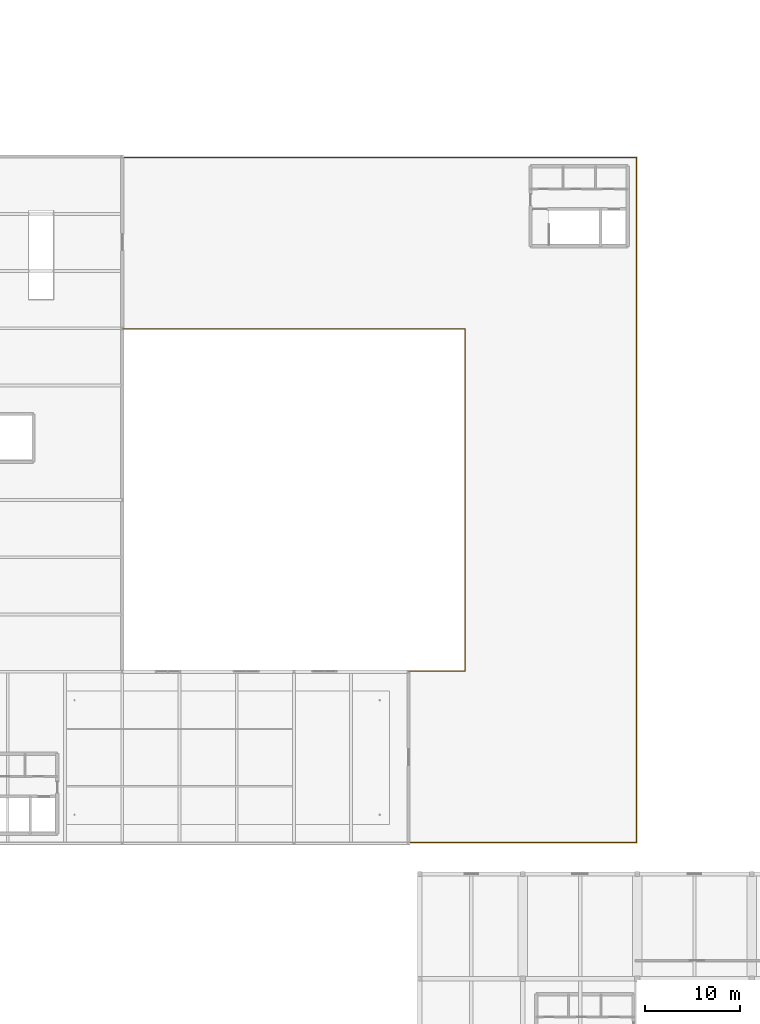
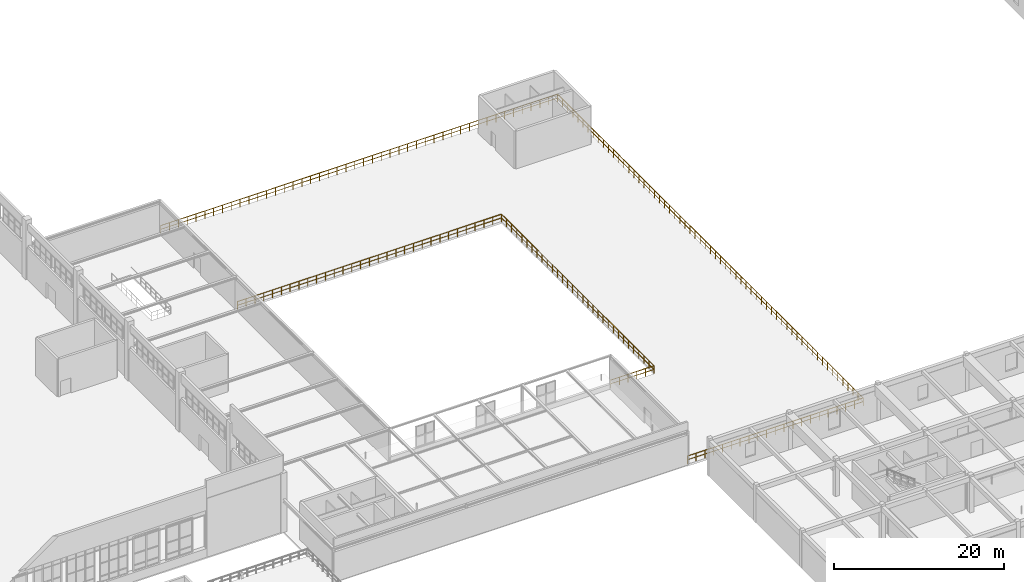
# One storey, part 94 of 97: 2 railings.
"""IFC4 building model written with IfcOpenShell, lengths in metres."""

from ifc_helpers import new_model, si_unit, derived_unit, direction, frame, origin, origin_2d, place, context, subcontext, project, spatial, circle, extrude, material, type_object, element, save


model = new_model("IFC4")

# Units and contexts
model_context = context("Model", 3, precision=1e-05, world=origin(), true_north=direction((0.0, 1.0)))
body_context = subcontext(model_context, "Body", "Model", "MODEL_VIEW")
ifc_project = project(units=[si_unit("LENGTHUNIT", "METRE"), si_unit("AREAUNIT", "SQUARE_METRE"), si_unit("VOLUMEUNIT", "CUBIC_METRE"), si_unit("PLANEANGLEUNIT", "RADIAN"), si_unit("MASSUNIT", "GRAM", prefix="KILO"), derived_unit("THERMALTRANSMITTANCEUNIT", [(si_unit("POWERUNIT", "WATT"), 1), (si_unit("LENGTHUNIT", "METRE"), -2), (si_unit("THERMODYNAMICTEMPERATUREUNIT", "KELVIN"), -1)])], contexts=[model_context])

# Site, building, storey
site_placement = place(None, origin())
site = spatial("IfcSite", under=ifc_project, at=site_placement, CompositionType="ELEMENT")
building_placement = place(site_placement, origin())
building = spatial("IfcBuilding", under=site, at=building_placement, Name="Almenara Railside Exhibition Hall", CompositionType="ELEMENT")
storey_placement = place(building_placement, frame((0.0, 0.0, 10.800048828125)))
storey = spatial("IfcBuildingStorey", under=building, at=storey_placement, Name="L02", CompositionType="ELEMENT", Elevation=10.800048828125)

# Railings
ifc_material = material(Name="Dark wrought-iron architectural balustrade")
railing_type = type_object("IfcRailingType", Name="Wrought-Iron Rejas Terrace Balustrade 1120mm", PredefinedType="BALUSTRADE", material=ifc_material)
railing_1_placement = place(storey_placement, frame((114.050048828125, 36.080078125, 0.0)))
element("IfcRailing", 1, at=railing_1_placement, inside=storey, type_object=railing_type, Name="Guard balustrade 0001", PredefinedType="BALUSTRADE", context=body_context, shape_type="SweptSolid", body=[
    extrude(circle(Radius=0.02392578125, at=origin_2d()), frame((0.0, 0.0, 1.09619140625), z_axis=(1.0, 0.0, 0.0), x_axis=(0.0, 1.0, 0.0)), (0.0, 0.0, 1.0), 23.869873046875),
    extrude(circle(Radius=0.01416015625, at=origin_2d()), frame((0.0, 0.0, 0.56005859375), z_axis=(1.0, 0.0, 0.0), x_axis=(0.0, 1.0, 0.0)), (0.0, 0.0, 1.0), 23.869873046875),
    extrude(circle(Radius=0.02392578125, at=origin_2d()), frame((23.869873046875, 0.0, 1.09619140625), z_axis=(0.0, 1.0, 0.0), x_axis=(-1.0, 0.0, 0.0)), (0.0, 0.0, 1.0), 71.83984375),
    extrude(circle(Radius=0.01416015625, at=origin_2d()), frame((23.869873046875, 0.0, 0.56005859375), z_axis=(0.0, 1.0, 0.0), x_axis=(-1.0, 0.0, 0.0)), (0.0, 0.0, 1.0), 71.83984375),
    extrude(circle(Radius=0.02392578125, at=origin_2d()), frame((23.869873046875, 71.83984375, 1.09619140625), z_axis=(-1.0, 0.0, 0.0), x_axis=(0.0, -1.0, 0.0)), (0.0, 0.0, 1.0), 53.83984375),
    extrude(circle(Radius=0.01416015625, at=origin_2d()), frame((23.869873046875, 71.83984375, 0.56005859375), z_axis=(-1.0, 0.0, 0.0), x_axis=(0.0, -1.0, 0.0)), (0.0, 0.0, 1.0), 53.83984375),
    extrude(circle(Radius=0.02099609375, at=origin_2d()), origin(), (0.0, 0.0, 1.0), 1.072021484375),
    extrude(circle(Radius=0.02099609375, at=origin_2d()), frame((1.193603515625, 0.0, 0.0)), (0.0, 0.0, 1.0), 1.072021484375),
    extrude(circle(Radius=0.02099609375, at=origin_2d()), frame((2.386962890625, 0.0, 0.0)), (0.0, 0.0, 1.0), 1.072021484375),
    extrude(circle(Radius=0.02099609375, at=origin_2d()), frame((3.58056640625, 0.0, 0.0)), (0.0, 0.0, 1.0), 1.072021484375),
    extrude(circle(Radius=0.02099609375, at=origin_2d()), frame((4.77392578125, 0.0, 0.0)), (0.0, 0.0, 1.0), 1.072021484375),
    extrude(circle(Radius=0.02099609375, at=origin_2d()), frame((5.967529296875, 0.0, 0.0)), (0.0, 0.0, 1.0), 1.072021484375),
    extrude(circle(Radius=0.02099609375, at=origin_2d()), frame((7.160888671875, 0.0, 0.0)), (0.0, 0.0, 1.0), 1.072021484375),
    extrude(circle(Radius=0.02099609375, at=origin_2d()), frame((8.3544921875, 0.0, 0.0)), (0.0, 0.0, 1.0), 1.072021484375),
    extrude(circle(Radius=0.02099609375, at=origin_2d()), frame((9.5478515625, 0.0, 0.0)), (0.0, 0.0, 1.0), 1.072021484375),
    extrude(circle(Radius=0.02099609375, at=origin_2d()), frame((10.741455078125, 0.0, 0.0)), (0.0, 0.0, 1.0), 1.072021484375),
    extrude(circle(Radius=0.02099609375, at=origin_2d()), frame((11.93505859375, 0.0, 0.0)), (0.0, 0.0, 1.0), 1.072021484375),
    extrude(circle(Radius=0.02099609375, at=origin_2d()), frame((13.12841796875, 0.0, 0.0)), (0.0, 0.0, 1.0), 1.072021484375),
    extrude(circle(Radius=0.02099609375, at=origin_2d()), frame((14.322021484375, 0.0, 0.0)), (0.0, 0.0, 1.0), 1.072021484375),
    extrude(circle(Radius=0.02099609375, at=origin_2d()), frame((15.515380859375, 0.0, 0.0)), (0.0, 0.0, 1.0), 1.072021484375),
    extrude(circle(Radius=0.02099609375, at=origin_2d()), frame((16.708984375, 0.0, 0.0)), (0.0, 0.0, 1.0), 1.072021484375),
    extrude(circle(Radius=0.02099609375, at=origin_2d()), frame((17.90234375, 0.0, 0.0)), (0.0, 0.0, 1.0), 1.072021484375),
    extrude(circle(Radius=0.02099609375, at=origin_2d()), frame((19.095947265625, 0.0, 0.0)), (0.0, 0.0, 1.0), 1.072021484375),
    extrude(circle(Radius=0.02099609375, at=origin_2d()), frame((20.289306640625, 0.0, 0.0)), (0.0, 0.0, 1.0), 1.072021484375),
    extrude(circle(Radius=0.02099609375, at=origin_2d()), frame((21.48291015625, 0.0, 0.0)), (0.0, 0.0, 1.0), 1.072021484375),
    extrude(circle(Radius=0.02099609375, at=origin_2d()), frame((22.67626953125, 0.0, 0.0)), (0.0, 0.0, 1.0), 1.072021484375),
    extrude(circle(Radius=0.02099609375, at=origin_2d()), frame((23.869873046875, 0.0, 0.0)), (0.0, 0.0, 1.0), 1.072021484375),
    extrude(circle(Radius=0.02099609375, at=origin_2d()), frame((23.869873046875, 1.197265625, 0.0)), (0.0, 0.0, 1.0), 1.072021484375),
    extrude(circle(Radius=0.02099609375, at=origin_2d()), frame((23.869873046875, 2.394775390625, 0.0)), (0.0, 0.0, 1.0), 1.072021484375),
    extrude(circle(Radius=0.02099609375, at=origin_2d()), frame((23.869873046875, 3.592041015625, 0.0)), (0.0, 0.0, 1.0), 1.072021484375),
    extrude(circle(Radius=0.02099609375, at=origin_2d()), frame((23.869873046875, 4.789306640625, 0.0)), (0.0, 0.0, 1.0), 1.072021484375),
    extrude(circle(Radius=0.02099609375, at=origin_2d()), frame((23.869873046875, 5.986572265625, 0.0)), (0.0, 0.0, 1.0), 1.072021484375),
    extrude(circle(Radius=0.02099609375, at=origin_2d()), frame((23.869873046875, 7.18408203125, 0.0)), (0.0, 0.0, 1.0), 1.072021484375),
    extrude(circle(Radius=0.02099609375, at=origin_2d()), frame((23.869873046875, 8.38134765625, 0.0)), (0.0, 0.0, 1.0), 1.072021484375),
    extrude(circle(Radius=0.02099609375, at=origin_2d()), frame((23.869873046875, 9.57861328125, 0.0)), (0.0, 0.0, 1.0), 1.072021484375),
    extrude(circle(Radius=0.02099609375, at=origin_2d()), frame((23.869873046875, 10.77587890625, 0.0)), (0.0, 0.0, 1.0), 1.072021484375),
    extrude(circle(Radius=0.02099609375, at=origin_2d()), frame((23.869873046875, 11.973388671875, 0.0)), (0.0, 0.0, 1.0), 1.072021484375),
    extrude(circle(Radius=0.02099609375, at=origin_2d()), frame((23.869873046875, 13.170654296875, 0.0)), (0.0, 0.0, 1.0), 1.072021484375),
    extrude(circle(Radius=0.02099609375, at=origin_2d()), frame((23.869873046875, 14.367919921875, 0.0)), (0.0, 0.0, 1.0), 1.072021484375),
    extrude(circle(Radius=0.02099609375, at=origin_2d()), frame((23.869873046875, 15.565185546875, 0.0)), (0.0, 0.0, 1.0), 1.072021484375),
    extrude(circle(Radius=0.02099609375, at=origin_2d()), frame((23.869873046875, 16.7626953125, 0.0)), (0.0, 0.0, 1.0), 1.072021484375),
    extrude(circle(Radius=0.02099609375, at=origin_2d()), frame((23.869873046875, 17.9599609375, 0.0)), (0.0, 0.0, 1.0), 1.072021484375),
    extrude(circle(Radius=0.02099609375, at=origin_2d()), frame((23.869873046875, 19.1572265625, 0.0)), (0.0, 0.0, 1.0), 1.072021484375),
    extrude(circle(Radius=0.02099609375, at=origin_2d()), frame((23.869873046875, 20.354736328125, 0.0)), (0.0, 0.0, 1.0), 1.072021484375),
    extrude(circle(Radius=0.02099609375, at=origin_2d()), frame((23.869873046875, 21.552001953125, 0.0)), (0.0, 0.0, 1.0), 1.072021484375),
    extrude(circle(Radius=0.02099609375, at=origin_2d()), frame((23.869873046875, 22.749267578125, 0.0)), (0.0, 0.0, 1.0), 1.072021484375),
    extrude(circle(Radius=0.02099609375, at=origin_2d()), frame((23.869873046875, 23.946533203125, 0.0)), (0.0, 0.0, 1.0), 1.072021484375),
    extrude(circle(Radius=0.02099609375, at=origin_2d()), frame((23.869873046875, 25.14404296875, 0.0)), (0.0, 0.0, 1.0), 1.072021484375),
    extrude(circle(Radius=0.02099609375, at=origin_2d()), frame((23.869873046875, 26.34130859375, 0.0)), (0.0, 0.0, 1.0), 1.072021484375),
    extrude(circle(Radius=0.02099609375, at=origin_2d()), frame((23.869873046875, 27.53857421875, 0.0)), (0.0, 0.0, 1.0), 1.072021484375),
    extrude(circle(Radius=0.02099609375, at=origin_2d()), frame((23.869873046875, 28.73583984375, 0.0)), (0.0, 0.0, 1.0), 1.072021484375),
    extrude(circle(Radius=0.02099609375, at=origin_2d()), frame((23.869873046875, 29.933349609375, 0.0)), (0.0, 0.0, 1.0), 1.072021484375),
    extrude(circle(Radius=0.02099609375, at=origin_2d()), frame((23.869873046875, 31.130615234375, 0.0)), (0.0, 0.0, 1.0), 1.072021484375),
    extrude(circle(Radius=0.02099609375, at=origin_2d()), frame((23.869873046875, 32.327880859375, 0.0)), (0.0, 0.0, 1.0), 1.072021484375),
    extrude(circle(Radius=0.02099609375, at=origin_2d()), frame((23.869873046875, 33.525146484375, 0.0)), (0.0, 0.0, 1.0), 1.072021484375),
    extrude(circle(Radius=0.02099609375, at=origin_2d()), frame((23.869873046875, 34.72265625, 0.0)), (0.0, 0.0, 1.0), 1.072021484375),
    extrude(circle(Radius=0.02099609375, at=origin_2d()), frame((23.869873046875, 35.919921875, 0.0)), (0.0, 0.0, 1.0), 1.072021484375),
    extrude(circle(Radius=0.02099609375, at=origin_2d()), frame((23.869873046875, 37.1171875, 0.0)), (0.0, 0.0, 1.0), 1.072021484375),
    extrude(circle(Radius=0.02099609375, at=origin_2d()), frame((23.869873046875, 38.314697265625, 0.0)), (0.0, 0.0, 1.0), 1.072021484375),
    extrude(circle(Radius=0.02099609375, at=origin_2d()), frame((23.869873046875, 39.511962890625, 0.0)), (0.0, 0.0, 1.0), 1.072021484375),
    extrude(circle(Radius=0.02099609375, at=origin_2d()), frame((23.869873046875, 40.709228515625, 0.0)), (0.0, 0.0, 1.0), 1.072021484375),
    extrude(circle(Radius=0.02099609375, at=origin_2d()), frame((23.869873046875, 41.906494140625, 0.0)), (0.0, 0.0, 1.0), 1.072021484375),
    extrude(circle(Radius=0.02099609375, at=origin_2d()), frame((23.869873046875, 43.10400390625, 0.0)), (0.0, 0.0, 1.0), 1.072021484375),
    extrude(circle(Radius=0.02099609375, at=origin_2d()), frame((23.869873046875, 44.30126953125, 0.0)), (0.0, 0.0, 1.0), 1.072021484375),
    extrude(circle(Radius=0.02099609375, at=origin_2d()), frame((23.869873046875, 45.49853515625, 0.0)), (0.0, 0.0, 1.0), 1.072021484375),
    extrude(circle(Radius=0.02099609375, at=origin_2d()), frame((23.869873046875, 46.69580078125, 0.0)), (0.0, 0.0, 1.0), 1.072021484375),
    extrude(circle(Radius=0.02099609375, at=origin_2d()), frame((23.869873046875, 47.893310546875, 0.0)), (0.0, 0.0, 1.0), 1.072021484375),
    extrude(circle(Radius=0.02099609375, at=origin_2d()), frame((23.869873046875, 49.090576171875, 0.0)), (0.0, 0.0, 1.0), 1.072021484375),
    extrude(circle(Radius=0.02099609375, at=origin_2d()), frame((23.869873046875, 50.287841796875, 0.0)), (0.0, 0.0, 1.0), 1.072021484375),
    extrude(circle(Radius=0.02099609375, at=origin_2d()), frame((23.869873046875, 51.485107421875, 0.0)), (0.0, 0.0, 1.0), 1.072021484375),
    extrude(circle(Radius=0.02099609375, at=origin_2d()), frame((23.869873046875, 52.6826171875, 0.0)), (0.0, 0.0, 1.0), 1.072021484375),
    extrude(circle(Radius=0.02099609375, at=origin_2d()), frame((23.869873046875, 53.8798828125, 0.0)), (0.0, 0.0, 1.0), 1.072021484375),
    extrude(circle(Radius=0.02099609375, at=origin_2d()), frame((23.869873046875, 55.0771484375, 0.0)), (0.0, 0.0, 1.0), 1.072021484375),
    extrude(circle(Radius=0.02099609375, at=origin_2d()), frame((23.869873046875, 56.274658203125, 0.0)), (0.0, 0.0, 1.0), 1.072021484375),
    extrude(circle(Radius=0.02099609375, at=origin_2d()), frame((23.869873046875, 57.471923828125, 0.0)), (0.0, 0.0, 1.0), 1.072021484375),
    extrude(circle(Radius=0.02099609375, at=origin_2d()), frame((23.869873046875, 58.669189453125, 0.0)), (0.0, 0.0, 1.0), 1.072021484375),
    extrude(circle(Radius=0.02099609375, at=origin_2d()), frame((23.869873046875, 59.866455078125, 0.0)), (0.0, 0.0, 1.0), 1.072021484375),
    extrude(circle(Radius=0.02099609375, at=origin_2d()), frame((23.869873046875, 61.06396484375, 0.0)), (0.0, 0.0, 1.0), 1.072021484375),
    extrude(circle(Radius=0.02099609375, at=origin_2d()), frame((23.869873046875, 62.26123046875, 0.0)), (0.0, 0.0, 1.0), 1.072021484375),
    extrude(circle(Radius=0.02099609375, at=origin_2d()), frame((23.869873046875, 63.45849609375, 0.0)), (0.0, 0.0, 1.0), 1.072021484375),
    extrude(circle(Radius=0.02099609375, at=origin_2d()), frame((23.869873046875, 64.65576171875, 0.0)), (0.0, 0.0, 1.0), 1.072021484375),
    extrude(circle(Radius=0.02099609375, at=origin_2d()), frame((23.869873046875, 65.853271484375, 0.0)), (0.0, 0.0, 1.0), 1.072021484375),
    extrude(circle(Radius=0.02099609375, at=origin_2d()), frame((23.869873046875, 67.050537109375, 0.0)), (0.0, 0.0, 1.0), 1.072021484375),
    extrude(circle(Radius=0.02099609375, at=origin_2d()), frame((23.869873046875, 68.247802734375, 0.0)), (0.0, 0.0, 1.0), 1.072021484375),
    extrude(circle(Radius=0.02099609375, at=origin_2d()), frame((23.869873046875, 69.445068359375, 0.0)), (0.0, 0.0, 1.0), 1.072021484375),
    extrude(circle(Radius=0.02099609375, at=origin_2d()), frame((23.869873046875, 70.642578125, 0.0)), (0.0, 0.0, 1.0), 1.072021484375),
    extrude(circle(Radius=0.02099609375, at=origin_2d()), frame((23.869873046875, 71.83984375, 0.0)), (0.0, 0.0, 1.0), 1.072021484375),
    extrude(circle(Radius=0.02099609375, at=origin_2d()), frame((22.67333984375, 71.83984375, 0.0)), (0.0, 0.0, 1.0), 1.072021484375),
    extrude(circle(Radius=0.02099609375, at=origin_2d()), frame((21.47705078125, 71.83984375, 0.0)), (0.0, 0.0, 1.0), 1.072021484375),
    extrude(circle(Radius=0.02099609375, at=origin_2d()), frame((20.280517578125, 71.83984375, 0.0)), (0.0, 0.0, 1.0), 1.072021484375),
    extrude(circle(Radius=0.02099609375, at=origin_2d()), frame((19.084228515625, 71.83984375, 0.0)), (0.0, 0.0, 1.0), 1.072021484375),
    extrude(circle(Radius=0.02099609375, at=origin_2d()), frame((17.8876953125, 71.83984375, 0.0)), (0.0, 0.0, 1.0), 1.072021484375),
    extrude(circle(Radius=0.02099609375, at=origin_2d()), frame((16.691162109375, 71.83984375, 0.0)), (0.0, 0.0, 1.0), 1.072021484375),
    extrude(circle(Radius=0.02099609375, at=origin_2d()), frame((15.494873046875, 71.83984375, 0.0)), (0.0, 0.0, 1.0), 1.072021484375),
    extrude(circle(Radius=0.02099609375, at=origin_2d()), frame((14.29833984375, 71.83984375, 0.0)), (0.0, 0.0, 1.0), 1.072021484375),
    extrude(circle(Radius=0.02099609375, at=origin_2d()), frame((13.101806640625, 71.83984375, 0.0)), (0.0, 0.0, 1.0), 1.072021484375),
    extrude(circle(Radius=0.02099609375, at=origin_2d()), frame((11.905517578125, 71.83984375, 0.0)), (0.0, 0.0, 1.0), 1.072021484375),
    extrude(circle(Radius=0.02099609375, at=origin_2d()), frame((10.708984375, 71.83984375, 0.0)), (0.0, 0.0, 1.0), 1.072021484375),
    extrude(circle(Radius=0.02099609375, at=origin_2d()), frame((9.5126953125, 71.83984375, 0.0)), (0.0, 0.0, 1.0), 1.072021484375),
    extrude(circle(Radius=0.02099609375, at=origin_2d()), frame((8.316162109375, 71.83984375, 0.0)), (0.0, 0.0, 1.0), 1.072021484375),
    extrude(circle(Radius=0.02099609375, at=origin_2d()), frame((7.11962890625, 71.83984375, 0.0)), (0.0, 0.0, 1.0), 1.072021484375),
    extrude(circle(Radius=0.02099609375, at=origin_2d()), frame((5.92333984375, 71.83984375, 0.0)), (0.0, 0.0, 1.0), 1.072021484375),
    extrude(circle(Radius=0.02099609375, at=origin_2d()), frame((4.726806640625, 71.83984375, 0.0)), (0.0, 0.0, 1.0), 1.072021484375),
    extrude(circle(Radius=0.02099609375, at=origin_2d()), frame((3.5302734375, 71.83984375, 0.0)), (0.0, 0.0, 1.0), 1.072021484375),
    extrude(circle(Radius=0.02099609375, at=origin_2d()), frame((2.333984375, 71.83984375, 0.0)), (0.0, 0.0, 1.0), 1.072021484375),
    extrude(circle(Radius=0.02099609375, at=origin_2d()), frame((1.137451171875, 71.83984375, 0.0)), (0.0, 0.0, 1.0), 1.072021484375),
    extrude(circle(Radius=0.02099609375, at=origin_2d()), frame((-0.058837890625, 71.83984375, 0.0)), (0.0, 0.0, 1.0), 1.072021484375),
    extrude(circle(Radius=0.02099609375, at=origin_2d()), frame((-1.25537109375, 71.83984375, 0.0)), (0.0, 0.0, 1.0), 1.072021484375),
    extrude(circle(Radius=0.02099609375, at=origin_2d()), frame((-2.451904296875, 71.83984375, 0.0)), (0.0, 0.0, 1.0), 1.072021484375),
    extrude(circle(Radius=0.02099609375, at=origin_2d()), frame((-3.648193359375, 71.83984375, 0.0)), (0.0, 0.0, 1.0), 1.072021484375),
    extrude(circle(Radius=0.02099609375, at=origin_2d()), frame((-4.8447265625, 71.83984375, 0.0)), (0.0, 0.0, 1.0), 1.072021484375),
    extrude(circle(Radius=0.02099609375, at=origin_2d()), frame((-6.041259765625, 71.83984375, 0.0)), (0.0, 0.0, 1.0), 1.072021484375),
    extrude(circle(Radius=0.02099609375, at=origin_2d()), frame((-7.237548828125, 71.83984375, 0.0)), (0.0, 0.0, 1.0), 1.072021484375),
    extrude(circle(Radius=0.02099609375, at=origin_2d()), frame((-8.43408203125, 71.83984375, 0.0)), (0.0, 0.0, 1.0), 1.072021484375),
    extrude(circle(Radius=0.02099609375, at=origin_2d()), frame((-9.63037109375, 71.83984375, 0.0)), (0.0, 0.0, 1.0), 1.072021484375),
    extrude(circle(Radius=0.02099609375, at=origin_2d()), frame((-10.826904296875, 71.83984375, 0.0)), (0.0, 0.0, 1.0), 1.072021484375),
    extrude(circle(Radius=0.02099609375, at=origin_2d()), frame((-12.0234375, 71.83984375, 0.0)), (0.0, 0.0, 1.0), 1.072021484375),
    extrude(circle(Radius=0.02099609375, at=origin_2d()), frame((-13.2197265625, 71.83984375, 0.0)), (0.0, 0.0, 1.0), 1.072021484375),
    extrude(circle(Radius=0.02099609375, at=origin_2d()), frame((-14.416259765625, 71.83984375, 0.0)), (0.0, 0.0, 1.0), 1.072021484375),
    extrude(circle(Radius=0.02099609375, at=origin_2d()), frame((-15.61279296875, 71.83984375, 0.0)), (0.0, 0.0, 1.0), 1.072021484375),
    extrude(circle(Radius=0.02099609375, at=origin_2d()), frame((-16.80908203125, 71.83984375, 0.0)), (0.0, 0.0, 1.0), 1.072021484375),
    extrude(circle(Radius=0.02099609375, at=origin_2d()), frame((-18.005615234375, 71.83984375, 0.0)), (0.0, 0.0, 1.0), 1.072021484375),
    extrude(circle(Radius=0.02099609375, at=origin_2d()), frame((-19.201904296875, 71.83984375, 0.0)), (0.0, 0.0, 1.0), 1.072021484375),
    extrude(circle(Radius=0.02099609375, at=origin_2d()), frame((-20.3984375, 71.83984375, 0.0)), (0.0, 0.0, 1.0), 1.072021484375),
    extrude(circle(Radius=0.02099609375, at=origin_2d()), frame((-21.594970703125, 71.83984375, 0.0)), (0.0, 0.0, 1.0), 1.072021484375),
    extrude(circle(Radius=0.02099609375, at=origin_2d()), frame((-22.791259765625, 71.83984375, 0.0)), (0.0, 0.0, 1.0), 1.072021484375),
    extrude(circle(Radius=0.02099609375, at=origin_2d()), frame((-23.98779296875, 71.83984375, 0.0)), (0.0, 0.0, 1.0), 1.072021484375),
    extrude(circle(Radius=0.02099609375, at=origin_2d()), frame((-25.184326171875, 71.83984375, 0.0)), (0.0, 0.0, 1.0), 1.072021484375),
    extrude(circle(Radius=0.02099609375, at=origin_2d()), frame((-26.380615234375, 71.83984375, 0.0)), (0.0, 0.0, 1.0), 1.072021484375),
    extrude(circle(Radius=0.02099609375, at=origin_2d()), frame((-27.5771484375, 71.83984375, 0.0)), (0.0, 0.0, 1.0), 1.072021484375),
    extrude(circle(Radius=0.02099609375, at=origin_2d()), frame((-28.7734375, 71.83984375, 0.0)), (0.0, 0.0, 1.0), 1.072021484375),
    extrude(circle(Radius=0.02099609375, at=origin_2d()), frame((-29.969970703125, 71.83984375, 0.0)), (0.0, 0.0, 1.0), 1.072021484375),
])
railing_2_placement = place(storey_placement, frame((114.050048828125, 54.080078125, 0.0)))
element("IfcRailing", 2, at=railing_2_placement, inside=storey, type_object=railing_type, Name="Guard balustrade 0002", PredefinedType="BALUSTRADE", context=body_context, shape_type="SweptSolid", body=[
    extrude(circle(Radius=0.02392578125, at=origin_2d()), frame((0.0, 0.0, 1.09619140625), z_axis=(1.0, 0.0, 0.0), x_axis=(0.0, 1.0, 0.0)), (0.0, 0.0, 1.0), 5.869873046875),
    extrude(circle(Radius=0.01416015625, at=origin_2d()), frame((0.0, 0.0, 0.56005859375), z_axis=(1.0, 0.0, 0.0), x_axis=(0.0, 1.0, 0.0)), (0.0, 0.0, 1.0), 5.869873046875),
    extrude(circle(Radius=0.02392578125, at=origin_2d()), frame((5.869873046875, 0.0, 1.09619140625), z_axis=(0.0, 1.0, 0.0), x_axis=(-1.0, 0.0, 0.0)), (0.0, 0.0, 1.0), 35.83984375),
    extrude(circle(Radius=0.01416015625, at=origin_2d()), frame((5.869873046875, 0.0, 0.56005859375), z_axis=(0.0, 1.0, 0.0), x_axis=(-1.0, 0.0, 0.0)), (0.0, 0.0, 1.0), 35.83984375),
    extrude(circle(Radius=0.02392578125, at=origin_2d()), frame((5.869873046875, 35.83984375, 1.09619140625), z_axis=(-1.0, 0.0, 0.0), x_axis=(0.0, -1.0, 0.0)), (0.0, 0.0, 1.0), 35.83984375),
    extrude(circle(Radius=0.01416015625, at=origin_2d()), frame((5.869873046875, 35.83984375, 0.56005859375), z_axis=(-1.0, 0.0, 0.0), x_axis=(0.0, -1.0, 0.0)), (0.0, 0.0, 1.0), 35.83984375),
    extrude(circle(Radius=0.02099609375, at=origin_2d()), origin(), (0.0, 0.0, 1.0), 1.072021484375),
    extrude(circle(Radius=0.02099609375, at=origin_2d()), frame((1.174072265625, 0.0, 0.0)), (0.0, 0.0, 1.0), 1.072021484375),
    extrude(circle(Radius=0.02099609375, at=origin_2d()), frame((2.347900390625, 0.0, 0.0)), (0.0, 0.0, 1.0), 1.072021484375),
    extrude(circle(Radius=0.02099609375, at=origin_2d()), frame((3.52197265625, 0.0, 0.0)), (0.0, 0.0, 1.0), 1.072021484375),
    extrude(circle(Radius=0.02099609375, at=origin_2d()), frame((4.69580078125, 0.0, 0.0)), (0.0, 0.0, 1.0), 1.072021484375),
    extrude(circle(Radius=0.02099609375, at=origin_2d()), frame((5.869873046875, 0.0, 0.0)), (0.0, 0.0, 1.0), 1.072021484375),
    extrude(circle(Radius=0.02099609375, at=origin_2d()), frame((5.869873046875, 1.194580078125, 0.0)), (0.0, 0.0, 1.0), 1.072021484375),
    extrude(circle(Radius=0.02099609375, at=origin_2d()), frame((5.869873046875, 2.389404296875, 0.0)), (0.0, 0.0, 1.0), 1.072021484375),
    extrude(circle(Radius=0.02099609375, at=origin_2d()), frame((5.869873046875, 3.583984375, 0.0)), (0.0, 0.0, 1.0), 1.072021484375),
    extrude(circle(Radius=0.02099609375, at=origin_2d()), frame((5.869873046875, 4.778564453125, 0.0)), (0.0, 0.0, 1.0), 1.072021484375),
    extrude(circle(Radius=0.02099609375, at=origin_2d()), frame((5.869873046875, 5.973388671875, 0.0)), (0.0, 0.0, 1.0), 1.072021484375),
    extrude(circle(Radius=0.02099609375, at=origin_2d()), frame((5.869873046875, 7.16796875, 0.0)), (0.0, 0.0, 1.0), 1.072021484375),
    extrude(circle(Radius=0.02099609375, at=origin_2d()), frame((5.869873046875, 8.362548828125, 0.0)), (0.0, 0.0, 1.0), 1.072021484375),
    extrude(circle(Radius=0.02099609375, at=origin_2d()), frame((5.869873046875, 9.557373046875, 0.0)), (0.0, 0.0, 1.0), 1.072021484375),
    extrude(circle(Radius=0.02099609375, at=origin_2d()), frame((5.869873046875, 10.751953125, 0.0)), (0.0, 0.0, 1.0), 1.072021484375),
    extrude(circle(Radius=0.02099609375, at=origin_2d()), frame((5.869873046875, 11.946533203125, 0.0)), (0.0, 0.0, 1.0), 1.072021484375),
    extrude(circle(Radius=0.02099609375, at=origin_2d()), frame((5.869873046875, 13.141357421875, 0.0)), (0.0, 0.0, 1.0), 1.072021484375),
    extrude(circle(Radius=0.02099609375, at=origin_2d()), frame((5.869873046875, 14.3359375, 0.0)), (0.0, 0.0, 1.0), 1.072021484375),
    extrude(circle(Radius=0.02099609375, at=origin_2d()), frame((5.869873046875, 15.530517578125, 0.0)), (0.0, 0.0, 1.0), 1.072021484375),
    extrude(circle(Radius=0.02099609375, at=origin_2d()), frame((5.869873046875, 16.725341796875, 0.0)), (0.0, 0.0, 1.0), 1.072021484375),
    extrude(circle(Radius=0.02099609375, at=origin_2d()), frame((5.869873046875, 17.919921875, 0.0)), (0.0, 0.0, 1.0), 1.072021484375),
    extrude(circle(Radius=0.02099609375, at=origin_2d()), frame((5.869873046875, 19.114501953125, 0.0)), (0.0, 0.0, 1.0), 1.072021484375),
    extrude(circle(Radius=0.02099609375, at=origin_2d()), frame((5.869873046875, 20.309326171875, 0.0)), (0.0, 0.0, 1.0), 1.072021484375),
    extrude(circle(Radius=0.02099609375, at=origin_2d()), frame((5.869873046875, 21.50390625, 0.0)), (0.0, 0.0, 1.0), 1.072021484375),
    extrude(circle(Radius=0.02099609375, at=origin_2d()), frame((5.869873046875, 22.698486328125, 0.0)), (0.0, 0.0, 1.0), 1.072021484375),
    extrude(circle(Radius=0.02099609375, at=origin_2d()), frame((5.869873046875, 23.893310546875, 0.0)), (0.0, 0.0, 1.0), 1.072021484375),
    extrude(circle(Radius=0.02099609375, at=origin_2d()), frame((5.869873046875, 25.087890625, 0.0)), (0.0, 0.0, 1.0), 1.072021484375),
    extrude(circle(Radius=0.02099609375, at=origin_2d()), frame((5.869873046875, 26.282470703125, 0.0)), (0.0, 0.0, 1.0), 1.072021484375),
    extrude(circle(Radius=0.02099609375, at=origin_2d()), frame((5.869873046875, 27.477294921875, 0.0)), (0.0, 0.0, 1.0), 1.072021484375),
    extrude(circle(Radius=0.02099609375, at=origin_2d()), frame((5.869873046875, 28.671875, 0.0)), (0.0, 0.0, 1.0), 1.072021484375),
    extrude(circle(Radius=0.02099609375, at=origin_2d()), frame((5.869873046875, 29.866455078125, 0.0)), (0.0, 0.0, 1.0), 1.072021484375),
    extrude(circle(Radius=0.02099609375, at=origin_2d()), frame((5.869873046875, 31.061279296875, 0.0)), (0.0, 0.0, 1.0), 1.072021484375),
    extrude(circle(Radius=0.02099609375, at=origin_2d()), frame((5.869873046875, 32.255859375, 0.0)), (0.0, 0.0, 1.0), 1.072021484375),
    extrude(circle(Radius=0.02099609375, at=origin_2d()), frame((5.869873046875, 33.450439453125, 0.0)), (0.0, 0.0, 1.0), 1.072021484375),
    extrude(circle(Radius=0.02099609375, at=origin_2d()), frame((5.869873046875, 34.645263671875, 0.0)), (0.0, 0.0, 1.0), 1.072021484375),
    extrude(circle(Radius=0.02099609375, at=origin_2d()), frame((5.869873046875, 35.83984375, 0.0)), (0.0, 0.0, 1.0), 1.072021484375),
    extrude(circle(Radius=0.02099609375, at=origin_2d()), frame((4.67529296875, 35.83984375, 0.0)), (0.0, 0.0, 1.0), 1.072021484375),
    extrude(circle(Radius=0.02099609375, at=origin_2d()), frame((3.48046875, 35.83984375, 0.0)), (0.0, 0.0, 1.0), 1.072021484375),
    extrude(circle(Radius=0.02099609375, at=origin_2d()), frame((2.285888671875, 35.83984375, 0.0)), (0.0, 0.0, 1.0), 1.072021484375),
    extrude(circle(Radius=0.02099609375, at=origin_2d()), frame((1.09130859375, 35.83984375, 0.0)), (0.0, 0.0, 1.0), 1.072021484375),
    extrude(circle(Radius=0.02099609375, at=origin_2d()), frame((-0.103515625, 35.83984375, 0.0)), (0.0, 0.0, 1.0), 1.072021484375),
    extrude(circle(Radius=0.02099609375, at=origin_2d()), frame((-1.298095703125, 35.83984375, 0.0)), (0.0, 0.0, 1.0), 1.072021484375),
    extrude(circle(Radius=0.02099609375, at=origin_2d()), frame((-2.49267578125, 35.83984375, 0.0)), (0.0, 0.0, 1.0), 1.072021484375),
    extrude(circle(Radius=0.02099609375, at=origin_2d()), frame((-3.6875, 35.83984375, 0.0)), (0.0, 0.0, 1.0), 1.072021484375),
    extrude(circle(Radius=0.02099609375, at=origin_2d()), frame((-4.882080078125, 35.83984375, 0.0)), (0.0, 0.0, 1.0), 1.072021484375),
    extrude(circle(Radius=0.02099609375, at=origin_2d()), frame((-6.07666015625, 35.83984375, 0.0)), (0.0, 0.0, 1.0), 1.072021484375),
    extrude(circle(Radius=0.02099609375, at=origin_2d()), frame((-7.271484375, 35.83984375, 0.0)), (0.0, 0.0, 1.0), 1.072021484375),
    extrude(circle(Radius=0.02099609375, at=origin_2d()), frame((-8.466064453125, 35.83984375, 0.0)), (0.0, 0.0, 1.0), 1.072021484375),
    extrude(circle(Radius=0.02099609375, at=origin_2d()), frame((-9.66064453125, 35.83984375, 0.0)), (0.0, 0.0, 1.0), 1.072021484375),
    extrude(circle(Radius=0.02099609375, at=origin_2d()), frame((-10.85546875, 35.83984375, 0.0)), (0.0, 0.0, 1.0), 1.072021484375),
    extrude(circle(Radius=0.02099609375, at=origin_2d()), frame((-12.050048828125, 35.83984375, 0.0)), (0.0, 0.0, 1.0), 1.072021484375),
    extrude(circle(Radius=0.02099609375, at=origin_2d()), frame((-13.24462890625, 35.83984375, 0.0)), (0.0, 0.0, 1.0), 1.072021484375),
    extrude(circle(Radius=0.02099609375, at=origin_2d()), frame((-14.439453125, 35.83984375, 0.0)), (0.0, 0.0, 1.0), 1.072021484375),
    extrude(circle(Radius=0.02099609375, at=origin_2d()), frame((-15.634033203125, 35.83984375, 0.0)), (0.0, 0.0, 1.0), 1.072021484375),
    extrude(circle(Radius=0.02099609375, at=origin_2d()), frame((-16.82861328125, 35.83984375, 0.0)), (0.0, 0.0, 1.0), 1.072021484375),
    extrude(circle(Radius=0.02099609375, at=origin_2d()), frame((-18.0234375, 35.83984375, 0.0)), (0.0, 0.0, 1.0), 1.072021484375),
    extrude(circle(Radius=0.02099609375, at=origin_2d()), frame((-19.218017578125, 35.83984375, 0.0)), (0.0, 0.0, 1.0), 1.072021484375),
    extrude(circle(Radius=0.02099609375, at=origin_2d()), frame((-20.41259765625, 35.83984375, 0.0)), (0.0, 0.0, 1.0), 1.072021484375),
    extrude(circle(Radius=0.02099609375, at=origin_2d()), frame((-21.607421875, 35.83984375, 0.0)), (0.0, 0.0, 1.0), 1.072021484375),
    extrude(circle(Radius=0.02099609375, at=origin_2d()), frame((-22.802001953125, 35.83984375, 0.0)), (0.0, 0.0, 1.0), 1.072021484375),
    extrude(circle(Radius=0.02099609375, at=origin_2d()), frame((-23.99658203125, 35.83984375, 0.0)), (0.0, 0.0, 1.0), 1.072021484375),
    extrude(circle(Radius=0.02099609375, at=origin_2d()), frame((-25.19140625, 35.83984375, 0.0)), (0.0, 0.0, 1.0), 1.072021484375),
    extrude(circle(Radius=0.02099609375, at=origin_2d()), frame((-26.385986328125, 35.83984375, 0.0)), (0.0, 0.0, 1.0), 1.072021484375),
    extrude(circle(Radius=0.02099609375, at=origin_2d()), frame((-27.58056640625, 35.83984375, 0.0)), (0.0, 0.0, 1.0), 1.072021484375),
    extrude(circle(Radius=0.02099609375, at=origin_2d()), frame((-28.775390625, 35.83984375, 0.0)), (0.0, 0.0, 1.0), 1.072021484375),
    extrude(circle(Radius=0.02099609375, at=origin_2d()), frame((-29.969970703125, 35.83984375, 0.0)), (0.0, 0.0, 1.0), 1.072021484375),
])

save(model, "model.ifc")
